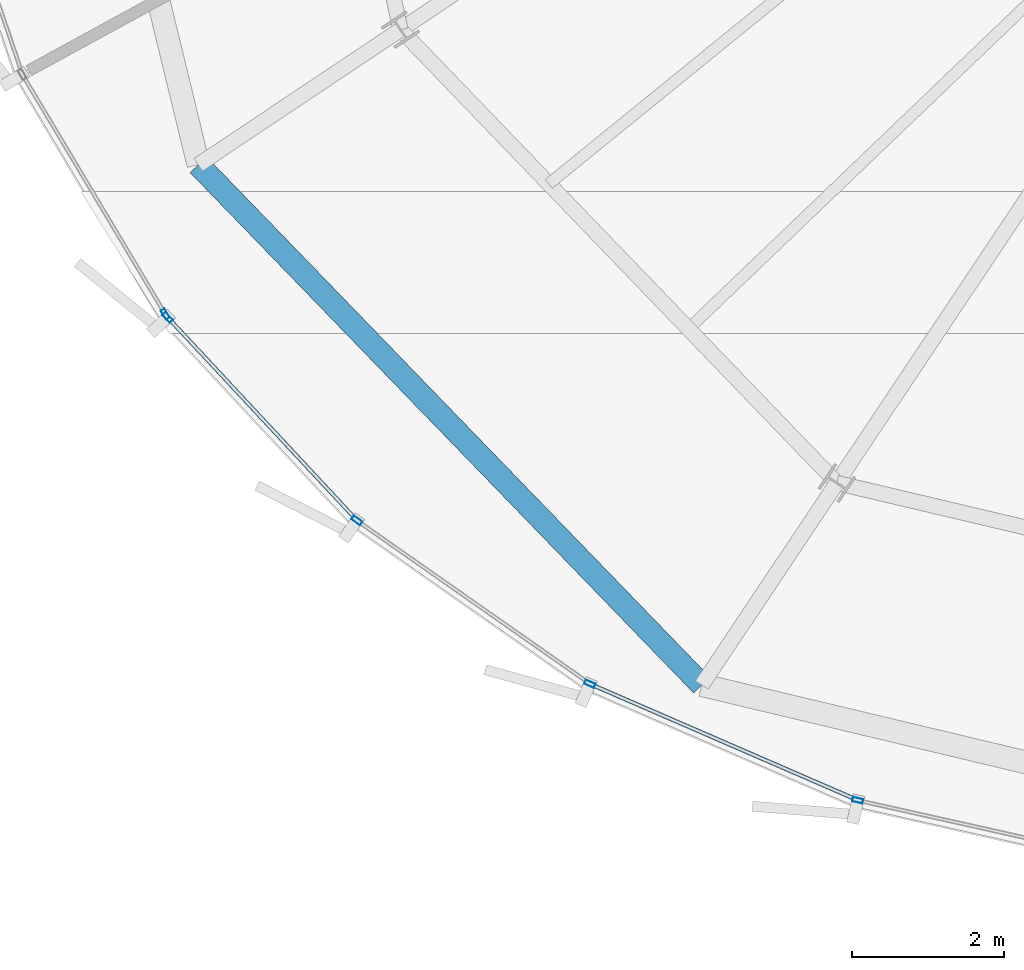
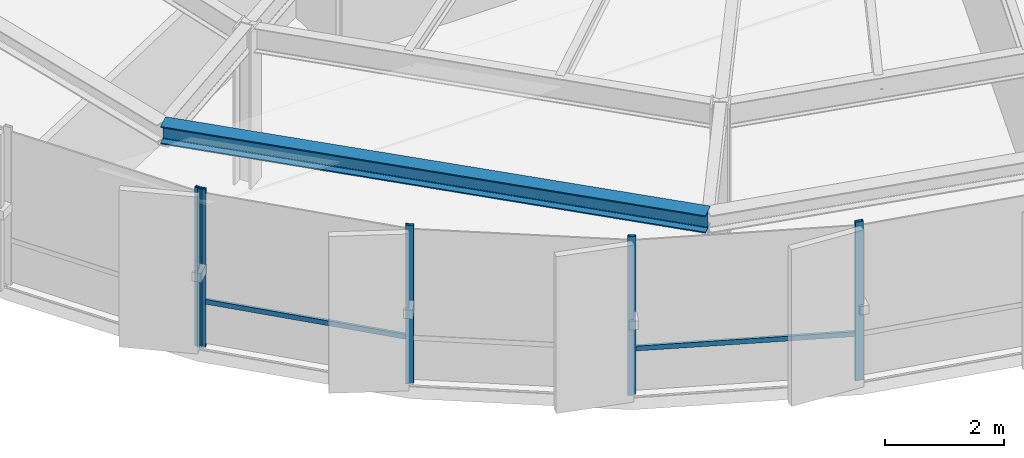
# One storey, part 2 of 34: 7 members, 1 beam, 2 elements without a shape of their own.
"""IFC4 building model written with IfcOpenShell, lengths in metres."""

from ifc_helpers import new_model, si_unit, direction, frame, origin, origin_2d, place, context, subcontext, project, spatial, hollow_rectangle, i_section, extrude, source, transform, mapped, material, layer, layer_set, material_profile, profile_set, type_object, element, aggregate, save


model = new_model("IFC4")

# Units and contexts
model_context = context("Model", 3, precision=1e-05, world=origin(), true_north=direction((0.0, 1.0)))
body_context = subcontext(model_context, "Body", "Model", "MODEL_VIEW")
ifc_project = project(units=[si_unit("LENGTHUNIT", "METRE"), si_unit("AREAUNIT", "SQUARE_METRE"), si_unit("VOLUMEUNIT", "CUBIC_METRE"), si_unit("PLANEANGLEUNIT", "RADIAN"), si_unit("MASSUNIT", "GRAM", prefix="KILO"), si_unit("THERMODYNAMICTEMPERATUREUNIT", "KELVIN")], contexts=[model_context])

# Site, building, storey
site_placement = place(None, origin())
site = spatial("IfcSite", under=ifc_project, at=site_placement, CompositionType="ELEMENT")
building_placement = place(site_placement, origin())
building = spatial("IfcBuilding", under=site, at=building_placement, Name="Kethvar Cultural Tower", CompositionType="ELEMENT")
storey_placement = place(building_placement, frame((0.0, 0.0, 183.39990234375)))
storey = spatial("IfcBuildingStorey", under=building, at=storey_placement, Name="L47", CompositionType="ELEMENT", Elevation=183.39990234375)

# Beam
ifc_material_1 = material(Name="Steel S355J2", Category="steel")
ifc_material_profile_1 = material_profile(ifc_material_1, i_section(OverallWidth=0.300048828125, OverallDepth=0.360107421875, WebThickness=0.012451171875, FlangeThickness=0.0224609375, FilletRadius=0.027099609375, at=origin_2d()), Name="Steel S355J2 — HEB360")
ifc_profile_set_1 = profile_set([ifc_material_profile_1], Name="Steel S355J2 — HEB360")
beam_type = type_object("IfcBeamType", Name="BM-SP360", PredefinedType="SPANDREL", material=ifc_profile_set_1)
shared_shape_1 = source(origin(), body_context, "Body", "SweptSolid", [
    extrude(i_section(OverallWidth=0.300048828125, OverallDepth=0.360107421875, WebThickness=0.012451171875, FlangeThickness=0.0224609375, FilletRadius=0.027099609375, at=origin_2d()), origin(), (0.0, 0.0, 1.0), 9.531982421875),
])
beam_placement = place(storey_placement, frame((26.556884765625, 14.27392578125, 3.078125), z_axis=(0.695343772208, -0.71867728394, 0.0), x_axis=(0.71867728394, 0.695343772208, 0.0)))
element("IfcBeam", 1, at=beam_placement, inside=storey, type_object=beam_type, Name="L47 Perimeter Spandrel Beam SP-10", PredefinedType="SPANDREL", context=body_context, shape_type="MappedRepresentation", body=[
    mapped(shared_shape_1, transform((0.0, 0.0, 0.0), scale=1.0)),
])

# Curtain wall, member
ifc_material_2 = material(Name="Aluminium 6063-T6", Category="aluminium")
ifc_layer = layer(ifc_material_2, 0.179931640625, Name="Aluminium 6063-T6", Category="aluminium")
ifc_layer_set = layer_set([ifc_layer], Name="Aluminium 6063-T6 (180 mm)")
curtain_wall_type = type_object("IfcCurtainWallType", Name="CW-SYS-04-Z34", PredefinedType="NOTDEFINED", material=ifc_layer_set)
curtain_wall_1_placement = place(storey_placement, origin())
curtain_wall_1 = element("IfcCurtainWall", 2, at=curtain_wall_1_placement, inside=storey, type_object=curtain_wall_type, Name="L47 Curtain Wall Run 03", PredefinedType="NOTDEFINED")
ifc_material_profile_2 = material_profile(ifc_material_2, hollow_rectangle(XDim=0.06005859375, YDim=0.139892578125, WallThickness=0.0048828125, at=origin_2d()), Name="Aluminium 6063-T6 — RHS140x60x5")
ifc_profile_set_2 = profile_set([ifc_material_profile_2], Name="Aluminium 6063-T6 — RHS140x60x5")
member_type_1 = type_object("IfcMemberType", Name="CW-SYS-04-Z34-MUL", PredefinedType="MULLION", material=ifc_profile_set_2)
shared_shape_2 = source(origin(), body_context, "Body", "SweptSolid", [
    extrude(hollow_rectangle(XDim=0.06005859375, YDim=0.139892578125, WallThickness=0.0048828125, at=origin_2d()), origin(), (0.0, 0.0, 1.0), 3.260009765625),
])
member_1_placement = place(storey_placement, frame((26.120849609375, 12.3076171875, 0.0), z_axis=(0.0, 0.0, 1.0), x_axis=(0.858879454829, 0.512177783658, 0.0)))
member_1 = element("IfcMember", 3, at=member_1_placement, type_object=member_type_1, Name="CW-L47-R03 Mullion 7", PredefinedType="MULLION", context=body_context, shape_type="MappedRepresentation", body=[
    mapped(shared_shape_2, transform((0.0, 0.0, 0.0), scale=1.0)),
])
aggregate(curtain_wall_1, [member_1])

# Curtain wall, members
curtain_wall_2_placement = place(storey_placement, origin())
curtain_wall_2 = element("IfcCurtainWall", 4, at=curtain_wall_2_placement, inside=storey, type_object=curtain_wall_type, Name="L47 Curtain Wall Run 04", PredefinedType="NOTDEFINED")
member_2_placement = place(storey_placement, frame((26.1533203125, 12.26416015625, 0.0), z_axis=(0.0, 0.0, 1.0), x_axis=(0.731448919425, 0.681896237174, 0.0)))
member_2 = element("IfcMember", 5, at=member_2_placement, type_object=member_type_1, Name="CW-L47-R04 Mullion 1", PredefinedType="MULLION", context=body_context, shape_type="MappedRepresentation", body=[
    mapped(shared_shape_2, transform((0.0, 0.0, 0.0), scale=1.0)),
])
member_3_placement = place(storey_placement, frame((28.642822265625, 9.590087890625, 0.0), z_axis=(0.0, 0.0, 1.0), x_axis=(0.573590733164, 0.819142033367, 0.0)))
member_3 = element("IfcMember", 6, at=member_3_placement, type_object=member_type_1, Name="CW-L47-R04 Mullion 2", PredefinedType="MULLION", context=body_context, shape_type="MappedRepresentation", body=[
    mapped(shared_shape_2, transform((0.0, 0.0, 0.0), scale=1.0)),
])
member_4_placement = place(storey_placement, frame((31.710693359375, 7.439453125, 0.0), z_axis=(0.0, 0.0, 1.0), x_axis=(0.398236823794, 0.917282634838, 0.0)))
member_4 = element("IfcMember", 7, at=member_4_placement, type_object=member_type_1, Name="CW-L47-R04 Mullion 3", PredefinedType="MULLION", context=body_context, shape_type="MappedRepresentation", body=[
    mapped(shared_shape_2, transform((0.0, 0.0, 0.0), scale=1.0)),
])
member_5_placement = place(storey_placement, frame((35.23779296875, 5.906005859375, 0.0), z_axis=(0.0, 0.0, 1.0), x_axis=(0.218092142215, 0.975928182554, 0.0)))
member_5 = element("IfcMember", 8, at=member_5_placement, type_object=member_type_1, Name="CW-L47-R04 Mullion 4", PredefinedType="MULLION", context=body_context, shape_type="MappedRepresentation", body=[
    mapped(shared_shape_2, transform((0.0, 0.0, 0.0), scale=1.0)),
])
ifc_material_profile_3 = material_profile(ifc_material_2, hollow_rectangle(XDim=0.050048828125, YDim=0.10009765625, WallThickness=0.00390625, at=origin_2d()), Name="Aluminium 6063-T6 — RHS100x50x4")
ifc_profile_set_3 = profile_set([ifc_material_profile_3], Name="Aluminium 6063-T6 — RHS100x50x4")
member_type_2 = type_object("IfcMemberType", Name="CW-SYS-04-Z34-TRN", PredefinedType="USERDEFINED", material=ifc_profile_set_3)
shared_shape_3 = source(origin(), body_context, "Body", "SweptSolid", [
    extrude(hollow_rectangle(XDim=0.050048828125, YDim=0.10009765625, WallThickness=0.00390625, at=origin_2d()), origin(), (0.0, 0.0, 1.0), 3.780517578125),
])
member_6_placement = place(storey_placement, frame((31.750244140625, 7.422119140625, 0.9501953125), z_axis=(0.917297836699, -0.39820180661, 0.0), x_axis=(0.39820180661, 0.917297836699, 0.0)))
member_6 = element("IfcMember", 9, at=member_6_placement, type_object=member_type_2, Name="CW-L47-R04 Transom 3", ObjectType="TRANSOM", PredefinedType="USERDEFINED", context=body_context, shape_type="MappedRepresentation", body=[
    mapped(shared_shape_3, transform((0.0, 0.0, 0.0), scale=1.0)),
])
shared_shape_4 = source(origin(), body_context, "Body", "SweptSolid", [
    extrude(hollow_rectangle(XDim=0.050048828125, YDim=0.10009765625, WallThickness=0.00390625, at=origin_2d()), origin(), (0.0, 0.0, 1.0), 3.62890625),
])
member_7_placement = place(storey_placement, frame((26.15625, 12.260986328125, 0.9501953125), z_axis=(0.681915446153, -0.731431011304, 0.0), x_axis=(0.731431011304, 0.681915446153, 0.0)))
member_7 = element("IfcMember", 10, at=member_7_placement, type_object=member_type_2, Name="CW-L47-R04 Transom 1", ObjectType="TRANSOM", PredefinedType="USERDEFINED", context=body_context, shape_type="MappedRepresentation", body=[
    mapped(shared_shape_4, transform((0.0, 0.0, 0.0), scale=1.0)),
])
aggregate(curtain_wall_2, [member_2, member_3, member_4, member_5, member_7, member_6])

save(model, "model.ifc")
